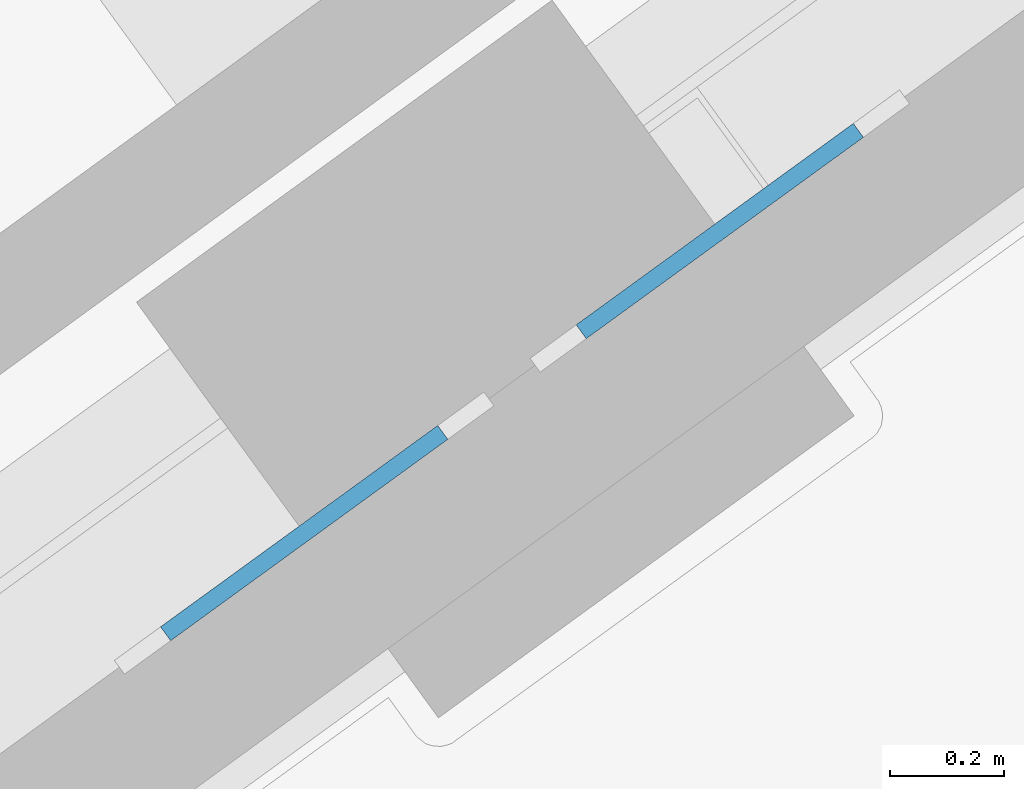
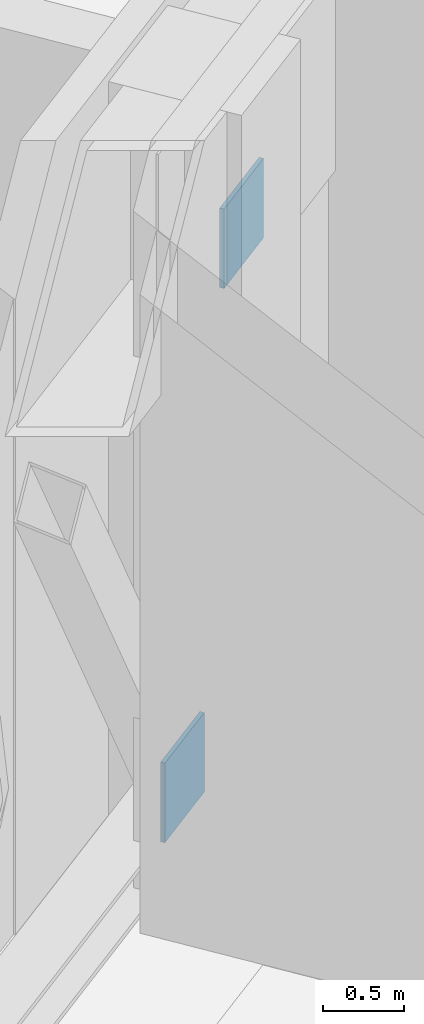
# One storey, part 7 of 16: 2 plates.
"""IFC4 building model written with IfcOpenShell, lengths in metres."""

from ifc_helpers import new_model, si_unit, direction, frame, origin, origin_2d, place, context, subcontext, project, spatial, rectangle, extrude, material, layer, layer_set, type_object, element, save


model = new_model("IFC4")

# Units and contexts
model_context = context("Model", 3, precision=1e-05, world=origin(), true_north=direction((0.0, 1.0)))
body_context = subcontext(model_context, "Body", "Model", "MODEL_VIEW")
ifc_project = project(units=[si_unit("LENGTHUNIT", "METRE"), si_unit("AREAUNIT", "SQUARE_METRE"), si_unit("VOLUMEUNIT", "CUBIC_METRE"), si_unit("PLANEANGLEUNIT", "RADIAN"), si_unit("MASSUNIT", "GRAM", prefix="KILO")], contexts=[model_context])

# Site, building, storey
site_placement = place(None, origin())
site = spatial("IfcSite", under=ifc_project, at=site_placement, CompositionType="ELEMENT")
building_placement = place(site_placement, origin())
building = spatial("IfcBuilding", under=site, at=building_placement, Name="Quipu Civic Tower", CompositionType="ELEMENT")
storey_placement = place(building_placement, frame((0.0, 0.0, 133.0)))
storey = spatial("IfcBuildingStorey", under=building, at=storey_placement, Name="L31", CompositionType="ELEMENT", Elevation=133.0)

# Plates
ifc_material = material(Name="Steel ASTM A572 Grade 50 (fy 345 MPa)", Category="steel")
ifc_layer = layer(ifc_material, 0.030029296875)
ifc_layer_set = layer_set([ifc_layer], Name="Steel ASTM A572 Grade 50 (fy 345 MPa)")
plate_type = type_object("IfcPlateType", Name="Cast in plate TD2", PredefinedType="SHEET", material=ifc_layer_set)
for number, where, z_axis, x_axis, name in (
    (1, (-39.29736328125, 27.326171875, 3.800048828125), (0.0, 0.0, 1.0), (0.80902725304, 0.587771132193, 0.0), "Cast-in plate TD2 L31 027"),
    (2, (-40.025390625, 26.797119140625, 0.193115234375), (0.0, 0.0, 1.0), (0.80902725304, 0.587771132193, 0.0), "Cast-in plate TD2 L31 030"),
):
    element("IfcPlate", number, at=place(storey_placement, frame(where, z_axis=z_axis, x_axis=x_axis)), inside=storey, type_object=plate_type, Name=name, PredefinedType="SHEET", context=body_context, shape_type="SweptSolid", body=[
        extrude(rectangle(XDim=0.60009765625, YDim=0.030029296875, at=origin_2d()), origin(), (0.0, 0.0, 1.0), 0.60009765625),
    ])

save(model, "model.ifc")
